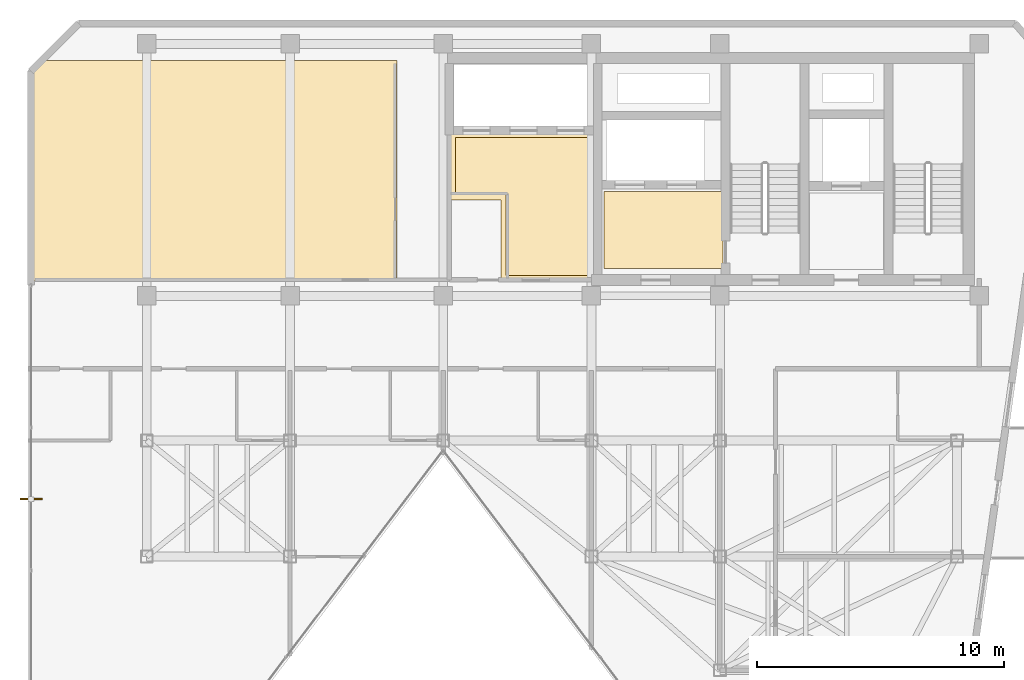
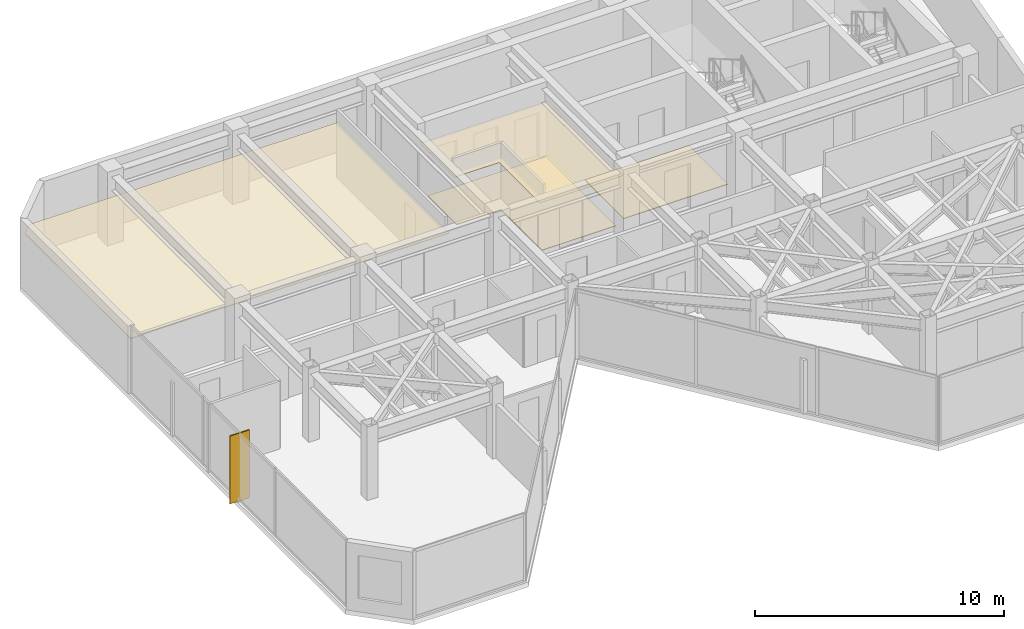
# One storey, part 18 of 19: 4 coverings, 1 shading device.
"""IFC4 building model written with IfcOpenShell, lengths in metres."""

from ifc_helpers import new_model, si_unit, direction, frame, origin, origin_2d, place, context, subcontext, project, spatial, polyline, rectangle, outline, extrude, material, layer, layer_set, type_object, element, save


model = new_model("IFC4")

# Units and contexts
model_context = context("Model", 3, precision=1e-05, world=origin(), true_north=direction((0.0, 1.0)))
body_context = subcontext(model_context, "Body", "Model", "MODEL_VIEW")
ifc_project = project(units=[si_unit("LENGTHUNIT", "METRE"), si_unit("AREAUNIT", "SQUARE_METRE"), si_unit("VOLUMEUNIT", "CUBIC_METRE"), si_unit("PLANEANGLEUNIT", "RADIAN"), si_unit("MASSUNIT", "GRAM", prefix="KILO")], contexts=[model_context])

# Site, building, storey
site_placement = place(None, origin())
site = spatial("IfcSite", under=ifc_project, at=site_placement, CompositionType="ELEMENT")
building_placement = place(site_placement, origin())
building = spatial("IfcBuilding", under=site, at=building_placement, Name="Kravanh Interchange Tower", CompositionType="ELEMENT")
storey_placement = place(building_placement, frame((0.0, 0.0, 274.199951171875)))
storey = spatial("IfcBuildingStorey", under=building, at=storey_placement, Name="L67", CompositionType="ELEMENT", Elevation=274.199951171875)

# Coverings
ifc_material_1 = material(Name="Cementitious Terrazzo Tile")
ifc_layer_1 = layer(ifc_material_1, 0.030029296875)
ifc_layer_set_1 = layer_set([ifc_layer_1], Name="Honed Terrazzo Lobby Flooring 30mm")
covering_type_1 = type_object("IfcCoveringType", Name="Honed Terrazzo Lobby Flooring 30mm", PredefinedType="FLOORING", material=ifc_layer_set_1)
covering_1_placement = place(storey_placement, origin())
element("IfcCovering", 1, at=covering_1_placement, inside=storey, type_object=covering_type_1, Name="L67 Firefighting Lobby Floor Finish", PredefinedType="FLOORING", context=body_context, shape_type="SweptSolid", body=[
    extrude(outline(polyline([(56.1201171875, 38.4599609375), (51.300048828125, 38.4599609375), (51.300048828125, 41.580078125), (56.1201171875, 41.580078125), (56.1201171875, 38.4599609375)])), origin(), (0.0, 0.0, 1.0), 0.030029296875),
])
covering_2_placement = place(storey_placement, origin())
element("IfcCovering", 2, at=covering_2_placement, inside=storey, type_object=covering_type_1, Name="L67 High-Rise Lift Lobby Floor Finish", PredefinedType="FLOORING", context=body_context, shape_type="SweptSolid", body=[
    extrude(outline(polyline([(50.77001953125, 43.77001953125), (50.77001953125, 38.179931640625), (47.35009765625, 38.179931640625), (47.35009765625, 41.449951171875), (45.300048828125, 41.449951171875), (45.300048828125, 43.77001953125), (50.77001953125, 43.77001953125)])), origin(), (0.0, 0.0, 1.0), 0.030029296875),
])
ifc_material_2 = material(Name="Anodised Bronze Aluminium Acoustic Baffle", Category="aluminium")
ifc_layer_2 = layer(ifc_material_2, 0.034912109375)
ifc_layer_set_2 = layer_set([ifc_layer_2], Name="Linear Bronze Baffle Feature Ceiling 35mm")
covering_type_2 = type_object("IfcCoveringType", Name="Linear Bronze Baffle Feature Ceiling 35mm", PredefinedType="CEILING", material=ifc_layer_set_2)
covering_3_placement = place(storey_placement, frame((0.0, 0.0, 2.524169921875)))
element("IfcCovering", 3, at=covering_3_placement, inside=storey, type_object=covering_type_2, Name="L67 Guest Wellness Fitness Lounge Suspended Ceiling", PredefinedType="CEILING", context=body_context, shape_type="SweptSolid", body=[
    extrude(outline(polyline([(42.929931640625, 37.9599609375), (28.179931640625, 37.9599609375), (28.179931640625, 46.42529296875), (28.64453125, 46.889892578125), (42.929931640625, 46.889892578125), (42.929931640625, 37.9599609375)])), origin(), (0.0, 0.0, 1.0), 0.034912109375),
])
ifc_material_3 = material(Name="Acoustic Mineral Fibre Tile on Aluminium Grid", Category="aluminium")
ifc_layer_3 = layer(ifc_material_3, 0.02490234375)
ifc_layer_set_3 = layer_set([ifc_layer_3], Name="Perforated Acoustic Mineral Ceiling 25mm")
covering_type_3 = type_object("IfcCoveringType", Name="Perforated Acoustic Mineral Ceiling 25mm", PredefinedType="CEILING", material=ifc_layer_set_3)
covering_4_placement = place(storey_placement, frame((0.0, 0.0, 2.524169921875)))
element("IfcCovering", 4, at=covering_4_placement, inside=storey, type_object=covering_type_3, Name="L67 High-Rise Lift Lobby Suspended Ceiling", PredefinedType="CEILING", context=body_context, shape_type="SweptSolid", body=[
    extrude(outline(polyline([(47.1298828125, 37.9599609375), (47.1298828125, 41.22998046875), (45.080078125, 41.22998046875), (45.080078125, 43.989990234375), (50.989990234375, 43.989990234375), (50.989990234375, 37.9599609375), (47.1298828125, 37.9599609375)])), origin(), (0.0, 0.0, 1.0), 0.02490234375),
])

# Shading device
ifc_material_4 = material(Name="Anodised Champagne Bronze Aluminium", Category="aluminium")
ifc_layer_4 = layer(ifc_material_4, 0.06005859375)
ifc_layer_set_4 = layer_set([ifc_layer_4], Name="Vertical Bronze Solar Fin 900mm")
shading_device_type = type_object("IfcShadingDeviceType", Name="Vertical Bronze Solar Fin 900mm", PredefinedType="USERDEFINED", material=ifc_layer_set_4)
shading_device_placement = place(storey_placement, frame((28.1201171875, 29.125, 0.0), z_axis=(0.0, 0.0, 1.0), x_axis=(-1.0, 0.0, 0.0)))
element("IfcShadingDevice", 5, at=shading_device_placement, inside=storey, type_object=shading_device_type, Name="L67 BRONZE SOLAR FIN 1", ObjectType="FIN", PredefinedType="USERDEFINED", context=body_context, shape_type="SweptSolid", body=[
    extrude(rectangle(XDim=0.89990234375, YDim=0.06005859375, at=origin_2d()), origin(), (0.0, 0.0, 1.0), 3.320068359375),
])

save(model, "model.ifc")
